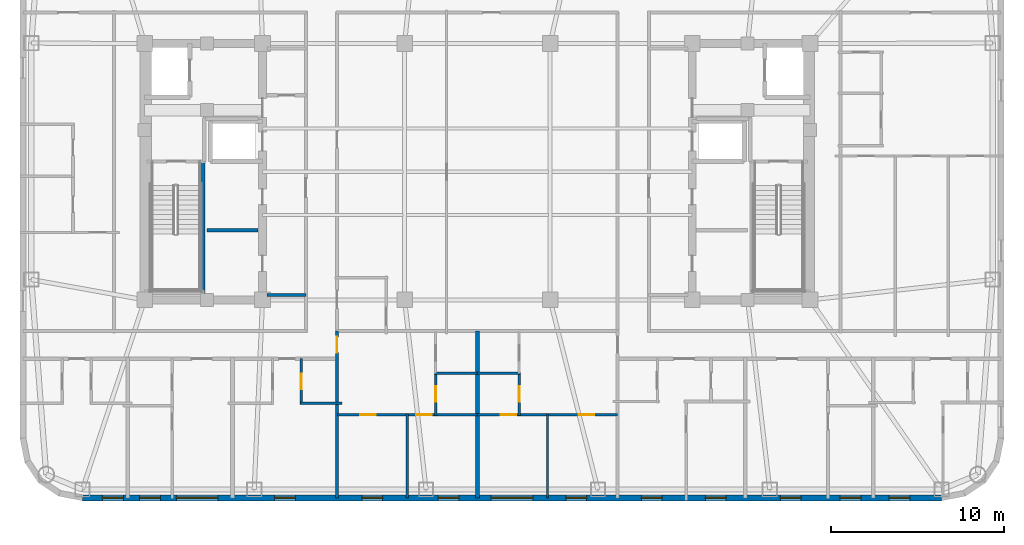
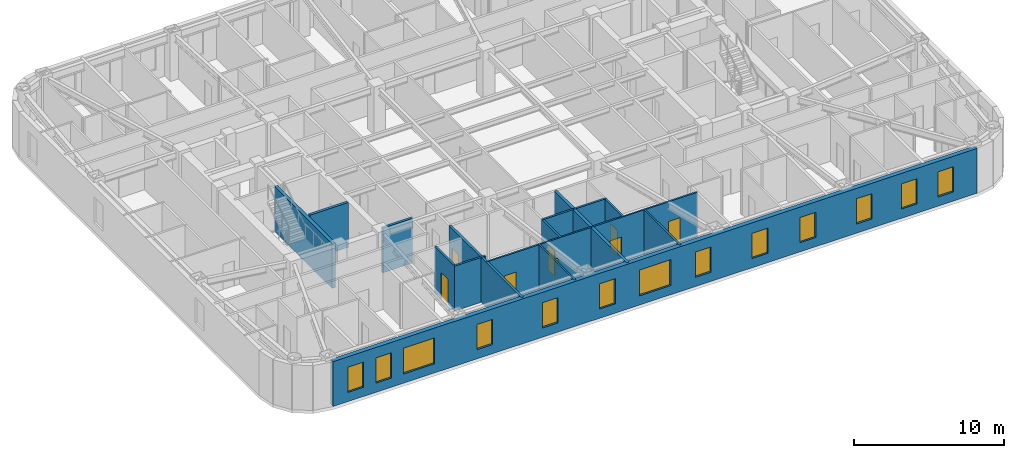
# One storey, part 3 of 11: 16 walls, 13 windows, 8 doors, 21 openings.
"""IFC4 building model written with IfcOpenShell, lengths in metres."""

from ifc_helpers import new_model, si_unit, direction, frame, frame_2d, origin, place, context, subcontext, project, spatial, rectangle, extrude, material, layer, layer_set, type_object, element, fill, save


model = new_model("IFC4")

# Units and contexts
model_context = context("Model", 3, precision=1e-05, world=origin(), true_north=direction((0.0, 1.0)))
body_context = subcontext(model_context, "Body", "Model", "MODEL_VIEW")
ifc_project = project(units=[si_unit("LENGTHUNIT", "METRE"), si_unit("AREAUNIT", "SQUARE_METRE"), si_unit("VOLUMEUNIT", "CUBIC_METRE"), si_unit("PLANEANGLEUNIT", "RADIAN"), si_unit("MASSUNIT", "GRAM", prefix="KILO")], contexts=[model_context])

# Site, building, storey
site_placement = place(None, origin())
site = spatial("IfcSite", under=ifc_project, at=site_placement, CompositionType="ELEMENT")
building_placement = place(site_placement, origin())
building = spatial("IfcBuilding", under=site, at=building_placement, Name="Voryun Gate Residences", CompositionType="ELEMENT")
storey_placement = place(building_placement, frame((0.0, 0.0, 223.60009765625)))
storey = spatial("IfcBuildingStorey", under=building, at=storey_placement, Name="L55", CompositionType="ELEMENT", Elevation=223.60009765625)

# Wall
ifc_material_1 = material(Name="Gypsum acoustic fireboard")
ifc_layer_1 = layer(ifc_material_1, 0.179931640625, Name="W_CORR_RATED_180")
ifc_layer_set_1 = layer_set([ifc_layer_1], Name="Gypsum acoustic fireboard")
wall_type_1 = type_object("IfcWallType", Name="W_CORR_RATED_180", PredefinedType="PARTITIONING", material=ifc_layer_set_1)
wall_1_placement = place(storey_placement, frame((-12.14990234375, -7.1201171875, 0.0), z_axis=(0.0, 0.0, 1.0), x_axis=(1.0, 0.0, 0.0)))
element("IfcWall", 1, at=wall_1_placement, inside=storey, type_object=wall_type_1, Name="Partition wall WP-L55-PLBS-W", PredefinedType="PARTITIONING", context=body_context, shape_type="SweptSolid", body=[
    extrude(rectangle(XDim=2.27001953125, YDim=0.179931640625, at=frame_2d((1.135009765625, 0.0))), origin(), (0.0, 0.0, 1.0), 3.64990234375),
])

# Wall, opening, door
wall_2_placement = place(storey_placement, frame((-8.10009765625, -18.830078125, 0.0), z_axis=(0.0, 0.0, 1.0), x_axis=(0.0, 1.0, 0.0)))
wall_2 = element("IfcWall", 2, at=wall_2_placement, inside=storey, type_object=wall_type_1, Name="Partition wall WP-L55-SZV-1", PredefinedType="PARTITIONING", context=body_context, shape_type="SweptSolid", body=[
    extrude(rectangle(XDim=9.64013671875, YDim=0.179931640625, at=frame_2d((4.820068359375, 0.0))), origin(), (0.0, 0.0, 1.0), 3.64990234375),
])
opening_1_placement = place(wall_2_placement, frame((8.389892578125, 0.0, 0.0)))
opening_1 = element("IfcOpeningElement", 3, at=opening_1_placement, cuts=wall_2, Name="Opening D-INT-2", PredefinedType="OPENING", context=body_context, shape_type="SweptSolid", body=[
    extrude(rectangle(XDim=0.89990234375, YDim=2.050048828125, at=frame_2d((0.449951171875, 1.02490234375))), frame((0.0, 0.099853515625, 0.0), z_axis=(0.0, -1.0, 0.0), x_axis=(1.0, 0.0, 0.0)), (0.0, 0.0, 1.0), 0.199951171875),
])
ifc_material_2 = material(Name="Architectural oak veneer")
door_type = type_object("IfcDoorType", Name="DR_INT_BATH_900", OperationType="NOTDEFINED", PredefinedType="DOOR", material=ifc_material_2)
door_1_placement = place(opening_1_placement, origin())
door_1 = element("IfcDoor", 4, at=door_1_placement, inside=storey, type_object=door_type, Name="Door DR-L55-SZENT-1", OperationType="SINGLE_SWING_LEFT", OverallHeight=2.050048828125, OverallWidth=0.89990234375, PredefinedType="DOOR", context=body_context, shape_type="SweptSolid", body=[
    extrude(rectangle(XDim=0.89990234375, YDim=2.050048828125, at=frame_2d((0.449951171875, 1.02490234375))), frame((0.0, 0.02490234375, 0.0), z_axis=(0.0, -1.0, 0.0), x_axis=(1.0, 0.0, 0.0)), (0.0, 0.0, 1.0), 0.050048828125),
])
fill(opening_1, door_1)

# Wall, openings, windows
ifc_material_3 = material(Name="Charcoal terracotta masonry", Category="masonry")
ifc_layer_2 = layer(ifc_material_3, 0.340087890625, Name="W_EXT_TERRACOTTA_340")
ifc_layer_set_2 = layer_set([ifc_layer_2], Name="Charcoal terracotta masonry")
wall_type_2 = type_object("IfcWallType", Name="W_EXT_TERRACOTTA_340", PredefinedType="ELEMENTEDWALL", material=ifc_layer_set_2)
wall_3_placement = place(storey_placement, frame((26.783203125, -18.830078125, 0.0), z_axis=(0.0, 0.0, 1.0), x_axis=(-1.0, 0.0, 0.0)))
wall_3 = element("IfcWall", 5, at=wall_3_placement, inside=storey, type_object=wall_type_2, Name="Exterior wall WEXT-L55-01", PredefinedType="ELEMENTEDWALL", context=body_context, shape_type="SweptSolid", body=[
    extrude(rectangle(XDim=49.56640625, YDim=0.340087890625, at=frame_2d((24.783203125, 0.0))), origin(), (0.0, 0.0, 1.0), 3.64990234375),
])
opening_2_placement = place(wall_3_placement, frame((23.583251953125, 0.0, 0.75)))
opening_2 = element("IfcOpeningElement", 6, at=opening_2_placement, cuts=wall_3, Name="Opening WN2", PredefinedType="OPENING", context=body_context, shape_type="SweptSolid", body=[
    extrude(rectangle(XDim=2.39990234375, YDim=2.10009765625, at=frame_2d((1.199951171875, 1.050048828125))), frame((0.0, 0.179931640625, 0.0), z_axis=(0.0, -1.0, 0.0), x_axis=(1.0, 0.0, 0.0)), (0.0, 0.0, 1.0), 0.360107421875),
])
opening_3_placement = place(wall_3_placement, frame((41.755615234375, 0.0, 0.75)))
opening_3 = element("IfcOpeningElement", 7, at=opening_3_placement, cuts=wall_3, Name="Opening WN2", PredefinedType="OPENING", context=body_context, shape_type="SweptSolid", body=[
    extrude(rectangle(XDim=2.39990234375, YDim=2.10009765625, at=frame_2d((1.199951171875, 1.050048828125))), frame((0.0, 0.179931640625, 0.0), z_axis=(0.0, -1.0, 0.0), x_axis=(1.0, 0.0, 0.0)), (0.0, 0.0, 1.0), 0.360107421875),
])
opening_4_placement = place(wall_3_placement, frame((47.222412109375, 0.0, 0.75)))
opening_4 = element("IfcOpeningElement", 8, at=opening_4_placement, cuts=wall_3, Name="Opening WN6", PredefinedType="OPENING", context=body_context, shape_type="SweptSolid", body=[
    extrude(rectangle(XDim=1.199951171875, YDim=2.050048828125, at=frame_2d((0.60009765625, 1.02490234375))), frame((0.0, 0.179931640625, 0.0), z_axis=(0.0, -1.0, 0.0), x_axis=(1.0, 0.0, 0.0)), (0.0, 0.0, 1.0), 0.360107421875),
])
opening_5_placement = place(wall_3_placement, frame((45.080322265625, 0.0, 0.75)))
opening_5 = element("IfcOpeningElement", 9, at=opening_5_placement, cuts=wall_3, Name="Opening WN6", PredefinedType="OPENING", context=body_context, shape_type="SweptSolid", body=[
    extrude(rectangle(XDim=1.199951171875, YDim=2.050048828125, at=frame_2d((0.60009765625, 1.02490234375))), frame((0.0, 0.179931640625, 0.0), z_axis=(0.0, -1.0, 0.0), x_axis=(1.0, 0.0, 0.0)), (0.0, 0.0, 1.0), 0.360107421875),
])
opening_6_placement = place(wall_3_placement, frame((37.289306640625, 0.0, 0.75)))
opening_6 = element("IfcOpeningElement", 10, at=opening_6_placement, cuts=wall_3, Name="Opening WN6", PredefinedType="OPENING", context=body_context, shape_type="SweptSolid", body=[
    extrude(rectangle(XDim=1.199951171875, YDim=2.050048828125, at=frame_2d((0.60009765625, 1.02490234375))), frame((0.0, 0.179931640625, 0.0), z_axis=(0.0, -1.0, 0.0), x_axis=(1.0, 0.0, 0.0)), (0.0, 0.0, 1.0), 0.360107421875),
])
opening_7_placement = place(wall_3_placement, frame((16.115234375, 0.0, 0.75)))
opening_7 = element("IfcOpeningElement", 11, at=opening_7_placement, cuts=wall_3, Name="Opening WN6", PredefinedType="OPENING", context=body_context, shape_type="SweptSolid", body=[
    extrude(rectangle(XDim=1.199951171875, YDim=2.050048828125, at=frame_2d((0.60009765625, 1.02490234375))), frame((0.0, 0.179931640625, 0.0), z_axis=(0.0, -1.0, 0.0), x_axis=(1.0, 0.0, 0.0)), (0.0, 0.0, 1.0), 0.360107421875),
])
opening_8_placement = place(wall_3_placement, frame((12.42236328125, 0.0, 0.75)))
opening_8 = element("IfcOpeningElement", 12, at=opening_8_placement, cuts=wall_3, Name="Opening WN6", PredefinedType="OPENING", context=body_context, shape_type="SweptSolid", body=[
    extrude(rectangle(XDim=1.199951171875, YDim=2.050048828125, at=frame_2d((0.60009765625, 1.02490234375))), frame((0.0, 0.179931640625, 0.0), z_axis=(0.0, -1.0, 0.0), x_axis=(1.0, 0.0, 0.0)), (0.0, 0.0, 1.0), 0.360107421875),
])
opening_9_placement = place(wall_3_placement, frame((8.08984375, 0.0, 0.75)))
opening_9 = element("IfcOpeningElement", 13, at=opening_9_placement, cuts=wall_3, Name="Opening WN6", PredefinedType="OPENING", context=body_context, shape_type="SweptSolid", body=[
    extrude(rectangle(XDim=1.199951171875, YDim=2.050048828125, at=frame_2d((0.60009765625, 1.02490234375))), frame((0.0, 0.179931640625, 0.0), z_axis=(0.0, -1.0, 0.0), x_axis=(1.0, 0.0, 0.0)), (0.0, 0.0, 1.0), 0.360107421875),
])
opening_10_placement = place(wall_3_placement, frame((4.63720703125, 0.0, 0.75)))
opening_10 = element("IfcOpeningElement", 14, at=opening_10_placement, cuts=wall_3, Name="Opening WN6", PredefinedType="OPENING", context=body_context, shape_type="SweptSolid", body=[
    extrude(rectangle(XDim=1.199951171875, YDim=2.050048828125, at=frame_2d((0.60009765625, 1.02490234375))), frame((0.0, 0.179931640625, 0.0), z_axis=(0.0, -1.0, 0.0), x_axis=(1.0, 0.0, 0.0)), (0.0, 0.0, 1.0), 0.360107421875),
])
opening_11_placement = place(wall_3_placement, frame((1.81103515625, 0.0, 0.75)))
opening_11 = element("IfcOpeningElement", 15, at=opening_11_placement, cuts=wall_3, Name="Opening WN6", PredefinedType="OPENING", context=body_context, shape_type="SweptSolid", body=[
    extrude(rectangle(XDim=1.199951171875, YDim=2.050048828125, at=frame_2d((0.60009765625, 1.02490234375))), frame((0.0, 0.179931640625, 0.0), z_axis=(0.0, -1.0, 0.0), x_axis=(1.0, 0.0, 0.0)), (0.0, 0.0, 1.0), 0.360107421875),
])
opening_12_placement = place(wall_3_placement, frame((32.25341796875, 0.0, 0.75)))
opening_12 = element("IfcOpeningElement", 16, at=opening_12_placement, cuts=wall_3, Name="Opening WN6", PredefinedType="OPENING", context=body_context, shape_type="SweptSolid", body=[
    extrude(rectangle(XDim=1.199951171875, YDim=2.050048828125, at=frame_2d((0.60009765625, 1.02490234375))), frame((0.0, 0.179931640625, 0.0), z_axis=(0.0, -1.0, 0.0), x_axis=(1.0, 0.0, 0.0)), (0.0, 0.0, 1.0), 0.360107421875),
])
opening_13_placement = place(wall_3_placement, frame((27.853271484375, 0.0, 0.75)))
opening_13 = element("IfcOpeningElement", 17, at=opening_13_placement, cuts=wall_3, Name="Opening WN6", PredefinedType="OPENING", context=body_context, shape_type="SweptSolid", body=[
    extrude(rectangle(XDim=1.199951171875, YDim=2.050048828125, at=frame_2d((0.60009765625, 1.02490234375))), frame((0.0, 0.179931640625, 0.0), z_axis=(0.0, -1.0, 0.0), x_axis=(1.0, 0.0, 0.0)), (0.0, 0.0, 1.0), 0.360107421875),
])
opening_14_placement = place(wall_3_placement, frame((20.473388671875, 0.0, 0.75)))
opening_14 = element("IfcOpeningElement", 18, at=opening_14_placement, cuts=wall_3, Name="Opening WN6", PredefinedType="OPENING", context=body_context, shape_type="SweptSolid", body=[
    extrude(rectangle(XDim=1.199951171875, YDim=2.050048828125, at=frame_2d((0.60009765625, 1.02490234375))), frame((0.0, 0.179931640625, 0.0), z_axis=(0.0, -1.0, 0.0), x_axis=(1.0, 0.0, 0.0)), (0.0, 0.0, 1.0), 0.360107421875),
])
ifc_material_4 = material(Name="Laminated low-E glass", Category="glass")
window_type_1 = type_object("IfcWindowType", Name="WN_POD_SLOT_1200", PartitioningType="SINGLE_PANEL", PredefinedType="WINDOW", material=ifc_material_4)
window_1_placement = place(opening_4_placement, origin())
window_1 = element("IfcWindow", 19, at=window_1_placement, inside=storey, type_object=window_type_1, Name="Window WN-L55-DWFIX-15", OverallHeight=2.050048828125, OverallWidth=1.199951171875, PartitioningType="SINGLE_PANEL", PredefinedType="WINDOW", context=body_context, shape_type="SweptSolid", body=[
    extrude(rectangle(XDim=1.199951171875, YDim=2.050048828125, at=frame_2d((0.60009765625, 1.02490234375))), frame((0.0, 0.030029296875, 0.0), z_axis=(0.0, -1.0, 0.0), x_axis=(1.0, 0.0, 0.0)), (0.0, 0.0, 1.0), 0.06005859375),
])
fill(opening_4, window_1)
window_2_placement = place(opening_5_placement, origin())
window_2 = element("IfcWindow", 20, at=window_2_placement, inside=storey, type_object=window_type_1, Name="Window WN-L55-DWFIX-16", OverallHeight=2.050048828125, OverallWidth=1.199951171875, PartitioningType="SINGLE_PANEL", PredefinedType="WINDOW", context=body_context, shape_type="SweptSolid", body=[
    extrude(rectangle(XDim=1.199951171875, YDim=2.050048828125, at=frame_2d((0.60009765625, 1.02490234375))), frame((0.0, 0.030029296875, 0.0), z_axis=(0.0, -1.0, 0.0), x_axis=(1.0, 0.0, 0.0)), (0.0, 0.0, 1.0), 0.06005859375),
])
fill(opening_5, window_2)
window_3_placement = place(opening_6_placement, origin())
window_3 = element("IfcWindow", 21, at=window_3_placement, inside=storey, type_object=window_type_1, Name="Window WN-L55-DWFIX-17", OverallHeight=2.050048828125, OverallWidth=1.199951171875, PartitioningType="SINGLE_PANEL", PredefinedType="WINDOW", context=body_context, shape_type="SweptSolid", body=[
    extrude(rectangle(XDim=1.199951171875, YDim=2.050048828125, at=frame_2d((0.60009765625, 1.02490234375))), frame((0.0, 0.030029296875, 0.0), z_axis=(0.0, -1.0, 0.0), x_axis=(1.0, 0.0, 0.0)), (0.0, 0.0, 1.0), 0.06005859375),
])
fill(opening_6, window_3)
window_4_placement = place(opening_7_placement, origin())
window_4 = element("IfcWindow", 22, at=window_4_placement, inside=storey, type_object=window_type_1, Name="Window WN-L55-DWFIX-18", OverallHeight=2.050048828125, OverallWidth=1.199951171875, PartitioningType="SINGLE_PANEL", PredefinedType="WINDOW", context=body_context, shape_type="SweptSolid", body=[
    extrude(rectangle(XDim=1.199951171875, YDim=2.050048828125, at=frame_2d((0.60009765625, 1.02490234375))), frame((0.0, 0.030029296875, 0.0), z_axis=(0.0, -1.0, 0.0), x_axis=(1.0, 0.0, 0.0)), (0.0, 0.0, 1.0), 0.06005859375),
])
fill(opening_7, window_4)
window_5_placement = place(opening_8_placement, origin())
window_5 = element("IfcWindow", 23, at=window_5_placement, inside=storey, type_object=window_type_1, Name="Window WN-L55-DWFIX-19", OverallHeight=2.050048828125, OverallWidth=1.199951171875, PartitioningType="SINGLE_PANEL", PredefinedType="WINDOW", context=body_context, shape_type="SweptSolid", body=[
    extrude(rectangle(XDim=1.199951171875, YDim=2.050048828125, at=frame_2d((0.60009765625, 1.02490234375))), frame((0.0, 0.030029296875, 0.0), z_axis=(0.0, -1.0, 0.0), x_axis=(1.0, 0.0, 0.0)), (0.0, 0.0, 1.0), 0.06005859375),
])
fill(opening_8, window_5)
window_6_placement = place(opening_9_placement, origin())
window_6 = element("IfcWindow", 24, at=window_6_placement, inside=storey, type_object=window_type_1, Name="Window WN-L55-DWFIX-20", OverallHeight=2.050048828125, OverallWidth=1.199951171875, PartitioningType="SINGLE_PANEL", PredefinedType="WINDOW", context=body_context, shape_type="SweptSolid", body=[
    extrude(rectangle(XDim=1.199951171875, YDim=2.050048828125, at=frame_2d((0.60009765625, 1.02490234375))), frame((0.0, 0.030029296875, 0.0), z_axis=(0.0, -1.0, 0.0), x_axis=(1.0, 0.0, 0.0)), (0.0, 0.0, 1.0), 0.06005859375),
])
fill(opening_9, window_6)
window_7_placement = place(opening_10_placement, origin())
window_7 = element("IfcWindow", 25, at=window_7_placement, inside=storey, type_object=window_type_1, Name="Window WN-L55-DWFIX-21", OverallHeight=2.050048828125, OverallWidth=1.199951171875, PartitioningType="SINGLE_PANEL", PredefinedType="WINDOW", context=body_context, shape_type="SweptSolid", body=[
    extrude(rectangle(XDim=1.199951171875, YDim=2.050048828125, at=frame_2d((0.60009765625, 1.02490234375))), frame((0.0, 0.030029296875, 0.0), z_axis=(0.0, -1.0, 0.0), x_axis=(1.0, 0.0, 0.0)), (0.0, 0.0, 1.0), 0.06005859375),
])
fill(opening_10, window_7)
window_8_placement = place(opening_11_placement, origin())
window_8 = element("IfcWindow", 26, at=window_8_placement, inside=storey, type_object=window_type_1, Name="Window WN-L55-DWFIX-22", OverallHeight=2.050048828125, OverallWidth=1.199951171875, PartitioningType="SINGLE_PANEL", PredefinedType="WINDOW", context=body_context, shape_type="SweptSolid", body=[
    extrude(rectangle(XDim=1.199951171875, YDim=2.050048828125, at=frame_2d((0.60009765625, 1.02490234375))), frame((0.0, 0.030029296875, 0.0), z_axis=(0.0, -1.0, 0.0), x_axis=(1.0, 0.0, 0.0)), (0.0, 0.0, 1.0), 0.06005859375),
])
fill(opening_11, window_8)
window_9_placement = place(opening_12_placement, origin())
window_9 = element("IfcWindow", 27, at=window_9_placement, inside=storey, type_object=window_type_1, Name="Window WN-L55-DWFIX-24", OverallHeight=2.050048828125, OverallWidth=1.199951171875, PartitioningType="SINGLE_PANEL", PredefinedType="WINDOW", context=body_context, shape_type="SweptSolid", body=[
    extrude(rectangle(XDim=1.199951171875, YDim=2.050048828125, at=frame_2d((0.60009765625, 1.02490234375))), frame((0.0, 0.030029296875, 0.0), z_axis=(0.0, -1.0, 0.0), x_axis=(1.0, 0.0, 0.0)), (0.0, 0.0, 1.0), 0.06005859375),
])
fill(opening_12, window_9)
window_10_placement = place(opening_13_placement, origin())
window_10 = element("IfcWindow", 28, at=window_10_placement, inside=storey, type_object=window_type_1, Name="Window WN-L55-DWFIX-25", OverallHeight=2.050048828125, OverallWidth=1.199951171875, PartitioningType="SINGLE_PANEL", PredefinedType="WINDOW", context=body_context, shape_type="SweptSolid", body=[
    extrude(rectangle(XDim=1.199951171875, YDim=2.050048828125, at=frame_2d((0.60009765625, 1.02490234375))), frame((0.0, 0.030029296875, 0.0), z_axis=(0.0, -1.0, 0.0), x_axis=(1.0, 0.0, 0.0)), (0.0, 0.0, 1.0), 0.06005859375),
])
fill(opening_13, window_10)
window_11_placement = place(opening_14_placement, origin())
window_11 = element("IfcWindow", 29, at=window_11_placement, inside=storey, type_object=window_type_1, Name="Window WN-L55-DWFIX-26", OverallHeight=2.050048828125, OverallWidth=1.199951171875, PartitioningType="SINGLE_PANEL", PredefinedType="WINDOW", context=body_context, shape_type="SweptSolid", body=[
    extrude(rectangle(XDim=1.199951171875, YDim=2.050048828125, at=frame_2d((0.60009765625, 1.02490234375))), frame((0.0, 0.030029296875, 0.0), z_axis=(0.0, -1.0, 0.0), x_axis=(1.0, 0.0, 0.0)), (0.0, 0.0, 1.0), 0.06005859375),
])
fill(opening_14, window_11)
ifc_material_5 = material(Name="Laminated low-E glass", Category="glass")
window_type_2 = type_object("IfcWindowType", Name="WN_RES_WIDE_2400", PartitioningType="SINGLE_PANEL", PredefinedType="WINDOW", material=ifc_material_5)
window_12_placement = place(opening_2_placement, origin())
window_12 = element("IfcWindow", 30, at=window_12_placement, inside=storey, type_object=window_type_2, Name="Window WN-WEXT-L55-01-02", OverallHeight=2.10009765625, OverallWidth=2.39990234375, PartitioningType="SINGLE_PANEL", PredefinedType="WINDOW", context=body_context, shape_type="SweptSolid", body=[
    extrude(rectangle(XDim=2.39990234375, YDim=2.10009765625, at=frame_2d((1.199951171875, 1.050048828125))), frame((0.0, 0.030029296875, 0.0), z_axis=(0.0, -1.0, 0.0), x_axis=(1.0, 0.0, 0.0)), (0.0, 0.0, 1.0), 0.06005859375),
])
fill(opening_2, window_12)
window_13_placement = place(opening_3_placement, origin())
window_13 = element("IfcWindow", 31, at=window_13_placement, inside=storey, type_object=window_type_2, Name="Window WN-WEXT-L55-01-03", OverallHeight=2.10009765625, OverallWidth=2.39990234375, PartitioningType="SINGLE_PANEL", PredefinedType="WINDOW", context=body_context, shape_type="SweptSolid", body=[
    extrude(rectangle(XDim=2.39990234375, YDim=2.10009765625, at=frame_2d((1.199951171875, 1.050048828125))), frame((0.0, 0.030029296875, 0.0), z_axis=(0.0, -1.0, 0.0), x_axis=(1.0, 0.0, 0.0)), (0.0, 0.0, 1.0), 0.06005859375),
])
fill(opening_3, window_13)

# Walls
ifc_material_6 = material(Name="Concrete C40/50", Category="concrete")
ifc_layer_3 = layer(ifc_material_6, 0.199951171875, Name="W_FF_LOBBY_200")
ifc_layer_set_3 = layer_set([ifc_layer_3], Name="Concrete C40/50")
wall_type_3 = type_object("IfcWallType", Name="W_FF_LOBBY_200", PredefinedType="PARTITIONING", material=ifc_layer_set_3)
wall_4_placement = place(storey_placement, frame((-15.60009765625, -3.389892578125, 0.0), z_axis=(0.0, 0.0, 1.0), x_axis=(1.0, 0.0, 0.0)))
element("IfcWall", 32, at=wall_4_placement, inside=storey, type_object=wall_type_3, Name="Partition wall WP-L55-RECEY-W", PredefinedType="PARTITIONING", context=body_context, shape_type="SweptSolid", body=[
    extrude(rectangle(XDim=2.940185546875, YDim=0.199951171875, at=frame_2d((1.47021484375, 0.0))), origin(), (0.0, 0.0, 1.0), 3.64990234375),
])
ifc_material_7 = material(Name="Concrete C40/50", Category="concrete")
ifc_layer_4 = layer(ifc_material_7, 0.219970703125, Name="W_PARTY_ACOUSTIC_220")
ifc_layer_set_4 = layer_set([ifc_layer_4], Name="Concrete C40/50")
wall_type_4 = type_object("IfcWallType", Name="W_PARTY_ACOUSTIC_220", PredefinedType="PARTITIONING", material=ifc_layer_set_4)
wall_5_placement = place(storey_placement, frame((0.0, -18.830078125, 0.0), z_axis=(0.0, 0.0, 1.0), x_axis=(0.0, 1.0, 0.0)))
element("IfcWall", 33, at=wall_5_placement, inside=storey, type_object=wall_type_4, Name="Partition wall WP-L55-SZMID", PredefinedType="PARTITIONING", context=body_context, shape_type="SweptSolid", body=[
    extrude(rectangle(XDim=9.64013671875, YDim=0.219970703125, at=frame_2d((4.820068359375, 0.0))), origin(), (0.0, 0.0, 1.0), 3.64990234375),
])
ifc_material_8 = material(Name="Concrete C50/60", Category="concrete")
ifc_layer_5 = layer(ifc_material_8, 0.25, Name="W_SHAFT_RC250")
ifc_layer_set_5 = layer_set([ifc_layer_5], Name="Concrete C50/60")
wall_type_5 = type_object("IfcWallType", Name="W_SHAFT_RC250", PredefinedType="SOLIDWALL", material=ifc_layer_set_5)
wall_6_placement = place(storey_placement, frame((-15.860107421875, -7.0849609375, 0.0), z_axis=(0.0, 0.0, 1.0), x_axis=(0.0, 1.0, 0.0)))
element("IfcWall", 34, at=wall_6_placement, inside=storey, type_object=wall_type_5, Name="L55 Stair shaft structural wall W-STR", PredefinedType="SOLIDWALL", context=body_context, shape_type="SweptSolid", body=[
    extrude(rectangle(XDim=7.68505859375, YDim=0.25, at=frame_2d((3.842529296875, 0.0))), origin(), (0.0, 0.0, 1.0), 3.64990234375),
])

# Wall, openings, doors
ifc_material_9 = material(Name="Gypsum acoustic partition")
ifc_layer_6 = layer(ifc_material_9, 0.125, Name="W_UNIT_PART_125")
ifc_layer_set_6 = layer_set([ifc_layer_6], Name="Gypsum acoustic partition")
wall_type_6 = type_object("IfcWallType", Name="W_UNIT_PART_125", PredefinedType="PARTITIONING", material=ifc_layer_set_6)
wall_7_placement = place(storey_placement, frame((-8.080078125, -14.030029296875, 0.0), z_axis=(0.0, 0.0, 1.0), x_axis=(1.0, 0.0, 0.0)))
wall_7 = element("IfcWall", 35, at=wall_7_placement, inside=storey, type_object=wall_type_6, Name="Partition wall WP-L55-SC1-HZ", PredefinedType="PARTITIONING", context=body_context, shape_type="SweptSolid", body=[
    extrude(rectangle(XDim=8.06005859375, YDim=0.125, at=frame_2d((4.030029296875, 0.0))), origin(), (0.0, 0.0, 1.0), 3.64990234375),
])
opening_15_placement = place(wall_7_placement, frame((1.3232421875, 0.0, 0.0)))
opening_15 = element("IfcOpeningElement", 36, at=opening_15_placement, cuts=wall_7, Name="Opening D-INT-2", PredefinedType="OPENING", context=body_context, shape_type="SweptSolid", body=[
    extrude(rectangle(XDim=0.89990234375, YDim=2.050048828125, at=frame_2d((0.449951171875, 1.02490234375))), frame((0.0, 0.072509765625, 0.0), z_axis=(0.0, -1.0, 0.0), x_axis=(1.0, 0.0, 0.0)), (0.0, 0.0, 1.0), 0.14501953125),
])
opening_16_placement = place(wall_7_placement, frame((4.547119140625, 0.0, 0.0)))
opening_16 = element("IfcOpeningElement", 37, at=opening_16_placement, cuts=wall_7, Name="Opening D-INT-2", PredefinedType="OPENING", context=body_context, shape_type="SweptSolid", body=[
    extrude(rectangle(XDim=0.89990234375, YDim=2.050048828125, at=frame_2d((0.449951171875, 1.02490234375))), frame((0.0, 0.072509765625, 0.0), z_axis=(0.0, -1.0, 0.0), x_axis=(1.0, 0.0, 0.0)), (0.0, 0.0, 1.0), 0.14501953125),
])
door_2_placement = place(opening_15_placement, origin())
door_2 = element("IfcDoor", 38, at=door_2_placement, inside=storey, type_object=door_type, Name="Door DR-L55-SC1-DMB", OperationType="SINGLE_SWING_LEFT", OverallHeight=2.050048828125, OverallWidth=0.89990234375, PredefinedType="DOOR", context=body_context, shape_type="SweptSolid", body=[
    extrude(rectangle(XDim=0.89990234375, YDim=2.050048828125, at=frame_2d((0.449951171875, 1.02490234375))), frame((0.0, 0.02490234375, 0.0), z_axis=(0.0, -1.0, 0.0), x_axis=(1.0, 0.0, 0.0)), (0.0, 0.0, 1.0), 0.050048828125),
])
fill(opening_15, door_2)
door_3_placement = place(opening_16_placement, origin())
door_3 = element("IfcDoor", 39, at=door_3_placement, inside=storey, type_object=door_type, Name="Door DR-L55-SC1-DBD2", OperationType="SINGLE_SWING_RIGHT", OverallHeight=2.050048828125, OverallWidth=0.89990234375, PredefinedType="DOOR", context=body_context, shape_type="SweptSolid", body=[
    extrude(rectangle(XDim=0.89990234375, YDim=2.050048828125, at=frame_2d((0.449951171875, 1.02490234375))), frame((0.0, 0.02490234375, 0.0), z_axis=(0.0, -1.0, 0.0), x_axis=(1.0, 0.0, 0.0)), (0.0, 0.0, 1.0), 0.050048828125),
])
fill(opening_16, door_3)

# Wall
wall_8_placement = place(storey_placement, frame((-4.050048828125, -18.830078125, 0.0), z_axis=(0.0, 0.0, 1.0), x_axis=(0.0, 1.0, 0.0)))
element("IfcWall", 40, at=wall_8_placement, inside=storey, type_object=wall_type_6, Name="Partition wall WP-L55-SC1-VBD", PredefinedType="PARTITIONING", context=body_context, shape_type="SweptSolid", body=[
    extrude(rectangle(XDim=4.840087890625, YDim=0.125, at=frame_2d((2.419921875, 0.0))), origin(), (0.0, 0.0, 1.0), 3.64990234375),
])

# Wall, openings, doors
wall_9_placement = place(storey_placement, frame((0.02001953125, -14.030029296875, 0.0), z_axis=(0.0, 0.0, 1.0), x_axis=(1.0, 0.0, 0.0)))
wall_9 = element("IfcWall", 41, at=wall_9_placement, inside=storey, type_object=wall_type_6, Name="Partition wall WP-L55-SC2-HZ", PredefinedType="PARTITIONING", context=body_context, shape_type="SweptSolid", body=[
    extrude(rectangle(XDim=8.06005859375, YDim=0.125, at=frame_2d((4.030029296875, 0.0))), origin(), (0.0, 0.0, 1.0), 3.64990234375),
])
opening_17_placement = place(wall_9_placement, frame((1.3232421875, 0.0, 0.0)))
opening_17 = element("IfcOpeningElement", 42, at=opening_17_placement, cuts=wall_9, Name="Opening D-INT-2", PredefinedType="OPENING", context=body_context, shape_type="SweptSolid", body=[
    extrude(rectangle(XDim=0.89990234375, YDim=2.050048828125, at=frame_2d((0.449951171875, 1.02490234375))), frame((0.0, 0.072509765625, 0.0), z_axis=(0.0, -1.0, 0.0), x_axis=(1.0, 0.0, 0.0)), (0.0, 0.0, 1.0), 0.14501953125),
])
opening_18_placement = place(wall_9_placement, frame((5.8369140625, 0.0, 0.0)))
opening_18 = element("IfcOpeningElement", 43, at=opening_18_placement, cuts=wall_9, Name="Opening D-INT-2", PredefinedType="OPENING", context=body_context, shape_type="SweptSolid", body=[
    extrude(rectangle(XDim=0.89990234375, YDim=2.050048828125, at=frame_2d((0.449951171875, 1.02490234375))), frame((0.0, 0.072509765625, 0.0), z_axis=(0.0, -1.0, 0.0), x_axis=(1.0, 0.0, 0.0)), (0.0, 0.0, 1.0), 0.14501953125),
])
door_4_placement = place(opening_17_placement, origin())
door_4 = element("IfcDoor", 44, at=door_4_placement, inside=storey, type_object=door_type, Name="Door DR-L55-SC2-DMB", OperationType="SINGLE_SWING_LEFT", OverallHeight=2.050048828125, OverallWidth=0.89990234375, PredefinedType="DOOR", context=body_context, shape_type="SweptSolid", body=[
    extrude(rectangle(XDim=0.89990234375, YDim=2.050048828125, at=frame_2d((0.449951171875, 1.02490234375))), frame((0.0, 0.02490234375, 0.0), z_axis=(0.0, -1.0, 0.0), x_axis=(1.0, 0.0, 0.0)), (0.0, 0.0, 1.0), 0.050048828125),
])
fill(opening_17, door_4)
door_5_placement = place(opening_18_placement, origin())
door_5 = element("IfcDoor", 45, at=door_5_placement, inside=storey, type_object=door_type, Name="Door DR-L55-SC2-DBD2", OperationType="SINGLE_SWING_RIGHT", OverallHeight=2.050048828125, OverallWidth=0.89990234375, PredefinedType="DOOR", context=body_context, shape_type="SweptSolid", body=[
    extrude(rectangle(XDim=0.89990234375, YDim=2.050048828125, at=frame_2d((0.449951171875, 1.02490234375))), frame((0.0, 0.02490234375, 0.0), z_axis=(0.0, -1.0, 0.0), x_axis=(1.0, 0.0, 0.0)), (0.0, 0.0, 1.0), 0.050048828125),
])
fill(opening_18, door_5)

# Wall
wall_10_placement = place(storey_placement, frame((4.050048828125, -18.830078125, 0.0), z_axis=(0.0, 0.0, 1.0), x_axis=(0.0, 1.0, 0.0)))
element("IfcWall", 46, at=wall_10_placement, inside=storey, type_object=wall_type_6, Name="Partition wall WP-L55-SC2-VBD", PredefinedType="PARTITIONING", context=body_context, shape_type="SweptSolid", body=[
    extrude(rectangle(XDim=4.840087890625, YDim=0.125, at=frame_2d((2.419921875, 0.0))), origin(), (0.0, 0.0, 1.0), 3.64990234375),
])

# Wall, opening, door
ifc_material_10 = material(Name="Gypsum moisture-resistant partition")
ifc_layer_7 = layer(ifc_material_10, 0.14990234375, Name="W_WET_PLUMB_150")
ifc_layer_set_7 = layer_set([ifc_layer_7], Name="Gypsum moisture-resistant partition")
wall_type_7 = type_object("IfcWallType", Name="W_WET_PLUMB_150", PredefinedType="PLUMBINGWALL", material=ifc_layer_set_7)
wall_11_placement = place(storey_placement, frame((-10.156982421875, -13.429931640625, 0.0), z_axis=(0.0, 0.0, 1.0), x_axis=(0.0, 1.0, 0.0)))
wall_11 = element("IfcWall", 47, at=wall_11_placement, inside=storey, type_object=wall_type_7, Name="Partition wall WP-L55-S3-CVB", PredefinedType="PLUMBINGWALL", context=body_context, shape_type="SweptSolid", body=[
    extrude(rectangle(XDim=2.64990234375, YDim=0.14990234375, at=frame_2d((1.324951171875, 0.0))), origin(), (0.0, 0.0, 1.0), 3.64990234375),
])
opening_19_placement = place(wall_11_placement, frame((0.875, 0.0, 0.0)))
opening_19 = element("IfcOpeningElement", 48, at=opening_19_placement, cuts=wall_11, Name="Opening D-INT-2", PredefinedType="OPENING", context=body_context, shape_type="SweptSolid", body=[
    extrude(rectangle(XDim=0.89990234375, YDim=2.050048828125, at=frame_2d((0.449951171875, 1.02490234375))), frame((0.0, 0.0849609375, 0.0), z_axis=(0.0, -1.0, 0.0), x_axis=(1.0, 0.0, 0.0)), (0.0, 0.0, 1.0), 0.169921875),
])
door_6_placement = place(opening_19_placement, origin())
door_6 = element("IfcDoor", 49, at=door_6_placement, inside=storey, type_object=door_type, Name="Door DR-L55-S3-DB", OperationType="SINGLE_SWING_RIGHT", OverallHeight=2.050048828125, OverallWidth=0.89990234375, PredefinedType="DOOR", context=body_context, shape_type="SweptSolid", body=[
    extrude(rectangle(XDim=0.89990234375, YDim=2.050048828125, at=frame_2d((0.449951171875, 1.02490234375))), frame((0.0, 0.02490234375, 0.0), z_axis=(0.0, -1.0, 0.0), x_axis=(1.0, 0.0, 0.0)), (0.0, 0.0, 1.0), 0.050048828125),
])
fill(opening_19, door_6)

# Wall
wall_12_placement = place(storey_placement, frame((-10.217041015625, -13.3701171875, 0.0), z_axis=(0.0, 0.0, 1.0), x_axis=(1.0, 0.0, 0.0)))
element("IfcWall", 50, at=wall_12_placement, inside=storey, type_object=wall_type_7, Name="Partition wall WP-L55-S3-CHB", PredefinedType="PLUMBINGWALL", context=body_context, shape_type="SweptSolid", body=[
    extrude(rectangle(XDim=2.39697265625, YDim=0.14990234375, at=frame_2d((1.198486328125, 0.0))), origin(), (0.0, 0.0, 1.0), 3.64990234375),
])

# Wall, opening, door
wall_13_placement = place(storey_placement, frame((-2.409912109375, -14.070068359375, 0.0), z_axis=(0.0, 0.0, 1.0), x_axis=(0.0, 1.0, 0.0)))
wall_13 = element("IfcWall", 51, at=wall_13_placement, inside=storey, type_object=wall_type_7, Name="Partition wall WP-L55-SC1-VK2", PredefinedType="PLUMBINGWALL", context=body_context, shape_type="SweptSolid", body=[
    extrude(rectangle(XDim=2.469970703125, YDim=0.14990234375, at=frame_2d((1.23486328125, 0.0))), origin(), (0.0, 0.0, 1.0), 3.64990234375),
])
opening_20_placement = place(wall_13_placement, frame((0.784912109375, 0.0, 0.0)))
opening_20 = element("IfcOpeningElement", 52, at=opening_20_placement, cuts=wall_13, Name="Opening D-INT-2", PredefinedType="OPENING", context=body_context, shape_type="SweptSolid", body=[
    extrude(rectangle(XDim=0.89990234375, YDim=2.050048828125, at=frame_2d((0.449951171875, 1.02490234375))), frame((0.0, 0.0849609375, 0.0), z_axis=(0.0, -1.0, 0.0), x_axis=(1.0, 0.0, 0.0)), (0.0, 0.0, 1.0), 0.169921875),
])
door_7_placement = place(opening_20_placement, origin())
door_7 = element("IfcDoor", 53, at=door_7_placement, inside=storey, type_object=door_type, Name="Door DR-L55-SC1-DB", OperationType="SINGLE_SWING_RIGHT", OverallHeight=2.050048828125, OverallWidth=0.89990234375, PredefinedType="DOOR", context=body_context, shape_type="SweptSolid", body=[
    extrude(rectangle(XDim=0.89990234375, YDim=2.050048828125, at=frame_2d((0.449951171875, 1.02490234375))), frame((0.0, 0.02490234375, 0.0), z_axis=(0.0, -1.0, 0.0), x_axis=(1.0, 0.0, 0.0)), (0.0, 0.0, 1.0), 0.050048828125),
])
fill(opening_20, door_7)

# Wall
wall_14_placement = place(storey_placement, frame((-2.449951171875, -11.6298828125, 0.0), z_axis=(0.0, 0.0, 1.0), x_axis=(1.0, 0.0, 0.0)))
element("IfcWall", 54, at=wall_14_placement, inside=storey, type_object=wall_type_7, Name="Partition wall WP-L55-SC1-HKB", PredefinedType="PLUMBINGWALL", context=body_context, shape_type="SweptSolid", body=[
    extrude(rectangle(XDim=2.429931640625, YDim=0.14990234375, at=frame_2d((1.21484375, 0.0))), origin(), (0.0, 0.0, 1.0), 3.64990234375),
])

# Wall, opening, door
wall_15_placement = place(storey_placement, frame((2.409912109375, -14.070068359375, 0.0), z_axis=(0.0, 0.0, 1.0), x_axis=(0.0, 1.0, 0.0)))
wall_15 = element("IfcWall", 55, at=wall_15_placement, inside=storey, type_object=wall_type_7, Name="Partition wall WP-L55-SC2-VK2", PredefinedType="PLUMBINGWALL", context=body_context, shape_type="SweptSolid", body=[
    extrude(rectangle(XDim=2.469970703125, YDim=0.14990234375, at=frame_2d((1.23486328125, 0.0))), origin(), (0.0, 0.0, 1.0), 3.64990234375),
])
opening_21_placement = place(wall_15_placement, frame((0.784912109375, 0.0, 0.0)))
opening_21 = element("IfcOpeningElement", 56, at=opening_21_placement, cuts=wall_15, Name="Opening D-INT-2", PredefinedType="OPENING", context=body_context, shape_type="SweptSolid", body=[
    extrude(rectangle(XDim=0.89990234375, YDim=2.050048828125, at=frame_2d((0.449951171875, 1.02490234375))), frame((0.0, 0.0849609375, 0.0), z_axis=(0.0, -1.0, 0.0), x_axis=(1.0, 0.0, 0.0)), (0.0, 0.0, 1.0), 0.169921875),
])
door_8_placement = place(opening_21_placement, origin())
door_8 = element("IfcDoor", 57, at=door_8_placement, inside=storey, type_object=door_type, Name="Door DR-L55-SC2-DB", OperationType="SINGLE_SWING_RIGHT", OverallHeight=2.050048828125, OverallWidth=0.89990234375, PredefinedType="DOOR", context=body_context, shape_type="SweptSolid", body=[
    extrude(rectangle(XDim=0.89990234375, YDim=2.050048828125, at=frame_2d((0.449951171875, 1.02490234375))), frame((0.0, 0.02490234375, 0.0), z_axis=(0.0, -1.0, 0.0), x_axis=(1.0, 0.0, 0.0)), (0.0, 0.0, 1.0), 0.050048828125),
])
fill(opening_21, door_8)

# Wall
wall_16_placement = place(storey_placement, frame((0.02001953125, -11.6298828125, 0.0), z_axis=(0.0, 0.0, 1.0), x_axis=(1.0, 0.0, 0.0)))
element("IfcWall", 58, at=wall_16_placement, inside=storey, type_object=wall_type_7, Name="Partition wall WP-L55-SC2-HKB", PredefinedType="PLUMBINGWALL", context=body_context, shape_type="SweptSolid", body=[
    extrude(rectangle(XDim=2.429931640625, YDim=0.14990234375, at=frame_2d((1.21484375, 0.0))), origin(), (0.0, 0.0, 1.0), 3.64990234375),
])

save(model, "model.ifc")
